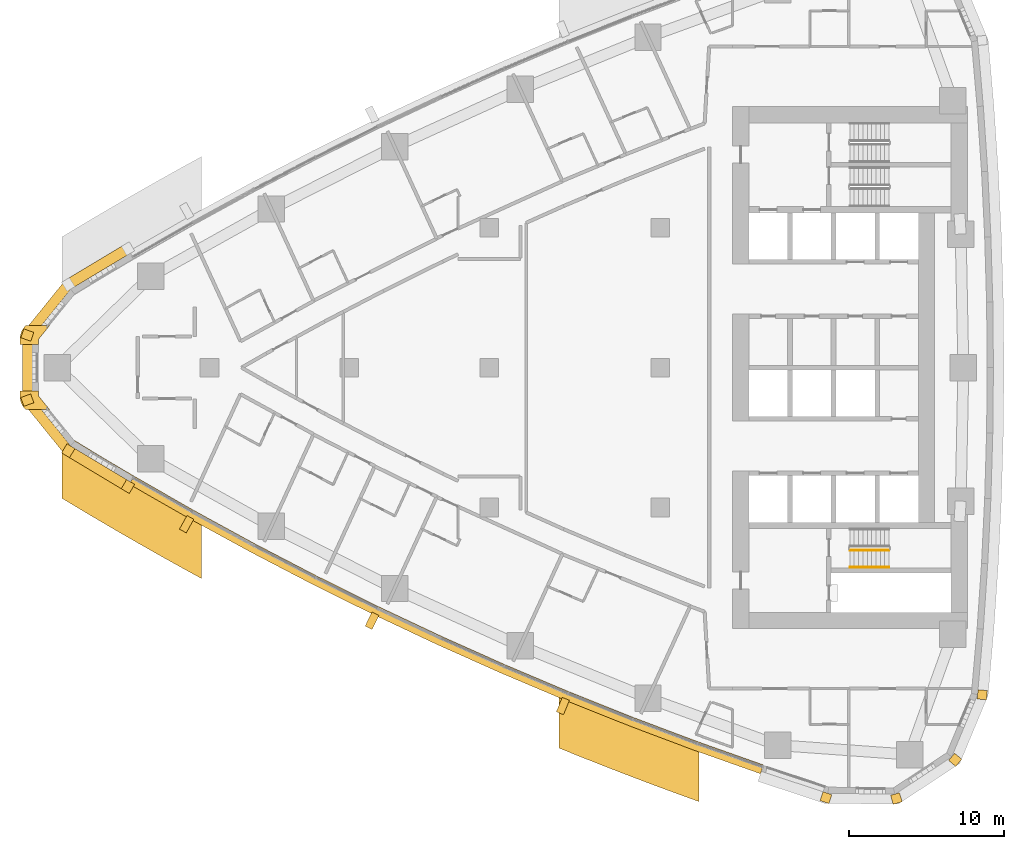
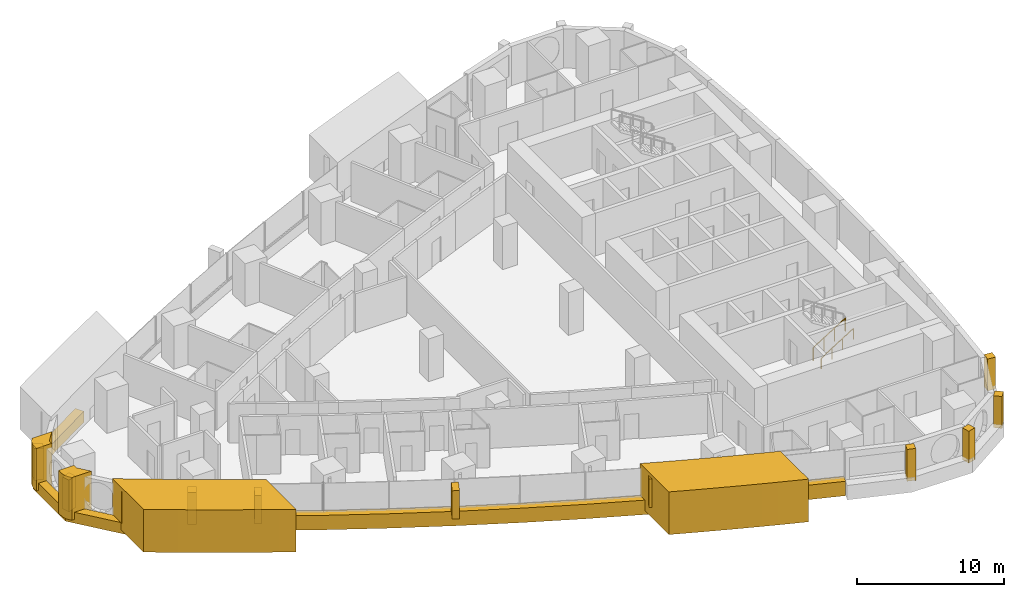
# One storey, part 14 of 17: 17 coverings, 2 railings.
"""IFC4 building model written with IfcOpenShell, lengths in metres."""

from ifc_helpers import new_model, si_unit, direction, frame, frame_2d, origin, origin_2d, place, context, subcontext, project, spatial, polyline, rectangle, circle, outline, extrude, material, layer, layer_set, type_object, element, save


model = new_model("IFC4")

# Units and contexts
model_context = context("Model", 3, precision=1e-05, world=origin(), true_north=direction((0.0, 1.0)))
body_context = subcontext(model_context, "Body", "Model", "MODEL_VIEW")
ifc_project = project(units=[si_unit("LENGTHUNIT", "METRE"), si_unit("AREAUNIT", "SQUARE_METRE"), si_unit("VOLUMEUNIT", "CUBIC_METRE"), si_unit("PLANEANGLEUNIT", "RADIAN"), si_unit("MASSUNIT", "GRAM", prefix="KILO")], contexts=[model_context])

# Site, building, storey
site_placement = place(None, origin())
site = spatial("IfcSite", under=ifc_project, at=site_placement, CompositionType="ELEMENT")
building_placement = place(site_placement, origin())
building = spatial("IfcBuilding", under=site, at=building_placement, Name="Ostrand Prow Hotel Tower", CompositionType="ELEMENT")
storey_placement = place(building_placement, frame((0.0, 0.0, 99.10009765625)))
storey = spatial("IfcBuildingStorey", under=building, at=storey_placement, Name="L23", CompositionType="ELEMENT", Elevation=99.10009765625)

# Coverings
ifc_material_1 = material(Name="Bronze anodised aluminium cladding", Category="aluminium")
ifc_layer_1 = layer(ifc_material_1, 0.60009765625)
ifc_layer_set_1 = layer_set([ifc_layer_1], Name="Bronze anodised aluminium cladding")
covering_type_1 = type_object("IfcCoveringType", Name="Bronze prow band 899x600", PredefinedType="CLADDING", material=ifc_layer_set_1)
covering_1_placement = place(storey_placement, frame((0.0, 0.0, -0.300048828125)))
element("IfcCovering", 1, at=covering_1_placement, inside=storey, type_object=covering_type_1, Name="Bronze prow band", PredefinedType="CLADDING", context=body_context, shape_type="SweptSolid", body=[
    extrude(outline(polyline([(10.580810546875, 7.9453125), (6.734130859375, 5.637939453125), (3.957763671875, 2.206787109375), (3.957763671875, -2.206787109375), (6.734130859375, -5.637939453125), (10.580810546875, -7.9453125), (10.9248046875, -7.358642578125), (7.089599609375, -5.058349609375), (4.598876953125, -1.97998046875), (4.598876953125, 1.97998046875), (7.089599609375, 5.058349609375), (10.9248046875, 7.358642578125), (10.580810546875, 7.9453125)])), origin(), (0.0, 0.0, 1.0), 0.89990234375),
])
ifc_material_2 = material(Name="Bronze anodised aluminium cladding", Category="aluminium")
ifc_layer_2 = layer(ifc_material_2, 0.60009765625)
ifc_layer_set_2 = layer_set([ifc_layer_2], Name="Bronze anodised aluminium cladding")
covering_type_2 = type_object("IfcCoveringType", Name="Bronze spandrel band 1200x600", PredefinedType="CLADDING", material=ifc_layer_set_2)
covering_2_placement = place(storey_placement, frame((0.0, 0.0, -0.300048828125)))
element("IfcCovering", 2, at=covering_2_placement, inside=storey, type_object=covering_type_2, Name="Spandrel band S1", PredefinedType="CLADDING", context=body_context, shape_type="SweptSolid", body=[
    extrude(outline(polyline([(10.841064453125, -7.50146484375), (14.72412109375, -9.726318359375), (18.651123046875, -11.872802734375), (22.620361328125, -13.940185546875), (26.6298828125, -15.927734375), (30.6787109375, -17.834716796875), (34.764892578125, -19.659912109375), (38.88671875, -21.4033203125), (43.042724609375, -23.0634765625), (47.231201171875, -24.64013671875), (51.4501953125, -26.1328125), (51.644775390625, -25.56494140625), (47.43701171875, -24.076416015625), (43.259765625, -22.504150390625), (39.114990234375, -20.848388671875), (35.004150390625, -19.10986328125), (30.928955078125, -17.289306640625), (26.89111328125, -15.3876953125), (22.89208984375, -13.4052734375), (18.93359375, -11.343505859375), (15.01708984375, -9.20263671875), (11.144287109375, -6.98388671875), (10.841064453125, -7.50146484375)])), origin(), (0.0, 0.0, 1.0), 1.199951171875),
])
ifc_material_3 = material(Name="Limestone cladding", Category="masonry")
ifc_layer_3 = layer(ifc_material_3, 5.0)
ifc_layer_set_3 = layer_set([ifc_layer_3], Name="Limestone cladding")
covering_type_3 = type_object("IfcCoveringType", Name="Portal jamb pilaster limestone", PredefinedType="CLADDING", material=ifc_layer_set_3)
covering_3_placement = place(storey_placement, origin())
element("IfcCovering", 3, at=covering_3_placement, inside=storey, type_object=covering_type_3, Name="Portal jamb SA L23", PredefinedType="CLADDING", context=body_context, shape_type="SweptSolid", body=[
    extrude(outline(polyline([(6.5, -4.184326171875), (6.5, -8.40625), (7.5, -9.0087890625), (8.5, -9.604248046875), (9.5, -10.19287109375), (10.5, -10.7744140625), (11.5, -11.349365234375), (12.5, -11.91748046875), (13.5, -12.478759765625), (14.5, -13.03369140625), (15.5, -13.581787109375), (15.5, -9.47216796875), (14.5, -8.912353515625), (13.5, -8.345703125), (12.5, -7.772216796875), (11.5, -7.19189453125), (10.5, -6.6044921875), (9.5, -6.01025390625), (8.5, -5.40869140625), (7.5, -4.80029296875), (6.5, -4.184326171875)])), origin(), (0.0, 0.0, 1.0), 3.5498046875),
])
covering_4_placement = place(storey_placement, origin())
element("IfcCovering", 4, at=covering_4_placement, inside=storey, type_object=covering_type_3, Name="Portal jamb SB L23", PredefinedType="CLADDING", context=body_context, shape_type="SweptSolid", body=[
    extrude(outline(polyline([(38.5, -20.59423828125), (38.5, -24.486083984375), (39.5, -24.890380859375), (40.5, -25.2890625), (41.5, -25.68212890625), (42.5, -26.06982421875), (43.5, -26.4521484375), (44.5, -26.8291015625), (45.5, -27.200439453125), (46.5, -27.566650390625), (47.5, -27.927490234375), (47.5, -24.099609375), (46.5, -23.732177734375), (45.5, -23.359130859375), (44.5, -22.98095703125), (43.5, -22.59716796875), (42.5, -22.207763671875), (41.5, -21.812744140625), (40.5, -21.412353515625), (39.5, -21.006103515625), (38.5, -20.59423828125)])), origin(), (0.0, 0.0, 1.0), 3.5498046875),
])
ifc_material_4 = material(Name="Limestone cladding", Category="masonry")
ifc_layer_4 = layer(ifc_material_4, 0.5)
ifc_layer_set_4 = layer_set([ifc_layer_4], Name="Limestone cladding")
covering_type_4 = type_object("IfcCoveringType", Name="Precast stone fin 500x900", PredefinedType="CLADDING", material=ifc_layer_set_4)
for number, where, z_axis, x_axis, name in (
    (5, (14.77294921875, -9.638916015625, 0.89990234375), (0.0, 0.0, 1.0), (-0.48823165008, -0.872714074517, 0.0), "Stone fin S 2"),
    (6, (26.673583984375, -15.837646484375, 0.89990234375), (0.0, 0.0, 1.0), (-0.435261006131, -0.900304313298, 0.0), "Stone fin S 5"),
    (7, (38.9248046875, -21.310791015625, 0.89990234375), (0.0, 0.0, 1.0), (-0.380172536546, -0.924915586665, 0.0), "Stone fin S 8"),
):
    element("IfcCovering", number, at=place(storey_placement, frame(where, z_axis=z_axis, x_axis=x_axis)), inside=storey, type_object=covering_type_4, Name=name, PredefinedType="CLADDING", context=body_context, shape_type="SweptSolid", body=[
        extrude(rectangle(XDim=1.0, YDim=0.5, at=frame_2d((0.5, 0.0))), origin(), (0.0, 0.0, 1.0), 2.35009765625),
    ])
ifc_material_5 = material(Name="Limestone cladding", Category="masonry")
ifc_layer_5 = layer(ifc_material_5, 0.60009765625)
ifc_layer_set_5 = layer_set([ifc_layer_5], Name="Limestone cladding")
covering_type_5 = type_object("IfcCoveringType", Name="Precast stone prow rib 600x600", PredefinedType="CLADDING", material=ifc_layer_set_5)
for number, where, z_axis, x_axis, name in (
    (8, (4.598876953125, 1.97998046875, 0.599853515625), (0.0, 0.0, 1.0), (-0.942744850171, 0.333514838465, 0.0), "Stone prow rib 3"),
    (9, (4.598876953125, -1.97998046875, 0.599853515625), (0.0, 0.0, 1.0), (-0.942744850171, -0.333514838465, 0.0), "Stone prow rib 4"),
    (10, (7.089599609375, -5.058349609375, 0.599853515625), (0.0, 0.0, 1.0), (-0.522814637618, -0.852446394029, 0.0), "Stone prow rib 5"),
):
    element("IfcCovering", number, at=place(storey_placement, frame(where, z_axis=z_axis, x_axis=x_axis)), inside=storey, type_object=covering_type_5, Name=name, PredefinedType="CLADDING", context=body_context, shape_type="SweptSolid", body=[
        extrude(rectangle(XDim=0.679931640625, YDim=0.60009765625, at=frame_2d((0.33984375, 0.0))), origin(), (0.0, 0.0, 1.0), 2.650146484375),
    ])
covering_5_placement = place(storey_placement, frame((10.9248046875, -7.358642578125, 0.599853515625), z_axis=(0.0, 0.0, 1.0), x_axis=(-0.505811626043, -0.862643958397, 0.0)))
element("IfcCovering", 11, at=covering_5_placement, inside=storey, type_object=covering_type_5, Name="Stone prow rib 6", PredefinedType="CLADDING", context=body_context, shape_type="SweptSolid", body=[
    extrude(rectangle(XDim=0.68017578125, YDim=0.60009765625, at=frame_2d((0.340087890625, 0.0))), origin(), (0.0, 0.0, 1.0), 2.650146484375),
])
covering_6_placement = place(storey_placement, frame((55.7490234375, -27.3828125, 0.599853515625), z_axis=(0.0, 0.0, 1.0), x_axis=(-0.305218682065, -0.952282288042, 0.0)))
element("IfcCovering", 12, at=covering_6_placement, inside=storey, type_object=covering_type_5, Name="Stone corner rib 2a", PredefinedType="CLADDING", context=body_context, shape_type="SweptSolid", body=[
    extrude(rectangle(XDim=0.599853515625, YDim=0.60009765625, at=frame_2d((0.2998046875, 0.0))), origin(), (0.0, 0.0, 1.0), 2.650146484375),
])
covering_7_placement = place(storey_placement, frame((60.104736328125, -27.437744140625, 0.599853515625), z_axis=(0.0, 0.0, 1.0), x_axis=(0.280734221166, -0.959785547436, 0.0)))
element("IfcCovering", 13, at=covering_7_placement, inside=storey, type_object=covering_type_5, Name="Stone corner rib 3a", PredefinedType="CLADDING", context=body_context, shape_type="SweptSolid", body=[
    extrude(rectangle(XDim=0.60009765625, YDim=0.60009765625, at=frame_2d((0.300048828125, 0.0))), origin(), (0.0, 0.0, 1.0), 2.650146484375),
])
for number, where, z_axis, x_axis, name in (
    (14, (63.74365234375, -25.043212890625, 0.599853515625), (0.0, 0.0, 1.0), (0.770318500913, -0.637659319034, 0.0), "Stone corner rib 4a"),
    (15, (65.41650390625, -21.02099609375, 0.599853515625), (0.0, 0.0, 1.0), (0.99529571972, -0.096883591531, 0.0), "Stone corner rib 4b"),
):
    element("IfcCovering", number, at=place(storey_placement, frame(where, z_axis=z_axis, x_axis=x_axis)), inside=storey, type_object=covering_type_5, Name=name, PredefinedType="CLADDING", context=body_context, shape_type="SweptSolid", body=[
        extrude(rectangle(XDim=0.599853515625, YDim=0.60009765625, at=frame_2d((0.2998046875, 0.0))), origin(), (0.0, 0.0, 1.0), 2.650146484375),
    ])
ifc_material_6 = material(Name="Limestone cladding", Category="masonry")
ifc_layer_6 = layer(ifc_material_6, 3.0)
ifc_layer_set_6 = layer_set([ifc_layer_6], Name="Limestone cladding")
covering_type_6 = type_object("IfcCoveringType", Name="Prow nose pier limestone", PredefinedType="CLADDING", material=ifc_layer_set_6)
covering_8_placement = place(storey_placement, origin())
element("IfcCovering", 16, at=covering_8_placement, inside=storey, type_object=covering_type_6, Name="Prow spine fin N L23", PredefinedType="CLADDING", context=body_context, shape_type="SweptSolid", body=[
    extrude(outline(polyline([(3.808349609375, 1.8349609375), (3.808349609375, 1.5), (5.00830078125, 1.5), (5.00830078125, 1.8349609375), (5.708251953125, 2.699951171875), (4.16455078125, 2.699951171875), (4.075439453125, 2.58984375), (4.006591796875, 2.495849609375), (3.947265625, 2.3955078125), (3.897705078125, 2.289794921875), (3.85888671875, 2.179931640625), (3.830810546875, 2.06689453125), (3.81396484375, 1.951416015625), (3.808349609375, 1.8349609375)])), origin(), (0.0, 0.0, 1.0), 3.5498046875),
])
covering_9_placement = place(storey_placement, origin())
element("IfcCovering", 17, at=covering_9_placement, inside=storey, type_object=covering_type_6, Name="Prow spine fin S L23", PredefinedType="CLADDING", context=body_context, shape_type="SweptSolid", body=[
    extrude(outline(polyline([(4.075439453125, -2.58984375), (4.16455078125, -2.699951171875), (5.708251953125, -2.699951171875), (5.00830078125, -1.8349609375), (5.00830078125, -1.5), (3.808349609375, -1.5), (3.808349609375, -1.8349609375), (3.81396484375, -1.951416015625), (3.830810546875, -2.06689453125), (3.85888671875, -2.179931640625), (3.897705078125, -2.289794921875), (3.947265625, -2.3955078125), (4.006591796875, -2.495849609375), (4.075439453125, -2.58984375)])), origin(), (0.0, 0.0, 1.0), 3.5498046875),
])

# Railings
ifc_material_7 = material(Name="Painted steel", Category="steel")
railing_type_1 = type_object("IfcRailingType", Name="Stair guard 1100", PredefinedType="GUARDRAIL", material=ifc_material_7)
railing_1_placement = place(storey_placement, frame((57.199951171875, -11.75, 0.177490234375)))
element("IfcRailing", 18, at=railing_1_placement, inside=storey, type_object=railing_type_1, Name="L23 ST2C stair guard 1", PredefinedType="GUARDRAIL", context=body_context, shape_type="SweptSolid", body=[
    extrude(circle(Radius=0.02392578125, at=origin_2d()), frame((0.0, 0.0, 1.076171875), z_axis=(0.84460694969, 0.0, 0.535386869969), x_axis=(0.0, 1.0, 0.0)), (0.0, 0.0, 1.0), 2.983642578125),
    extrude(circle(Radius=0.02099609375, at=origin_2d()), origin(), (0.0, 0.0, 1.0), 1.052001953125),
    extrude(circle(Radius=0.02099609375, at=origin_2d()), frame((0.840087890625, 0.0, 0.532470703125)), (0.0, 0.0, 1.0), 1.052001953125),
    extrude(circle(Radius=0.02099609375, at=origin_2d()), frame((1.679931640625, 0.0, 1.06494140625)), (0.0, 0.0, 1.0), 1.052001953125),
    extrude(circle(Radius=0.02099609375, at=origin_2d()), frame((2.52001953125, 0.0, 1.597412109375)), (0.0, 0.0, 1.0), 1.052001953125),
])
ifc_material_8 = material(Name="Stainless steel", Category="steel")
railing_type_2 = type_object("IfcRailingType", Name="Stair handrail 900", PredefinedType="HANDRAIL", material=ifc_material_8)
railing_2_placement = place(storey_placement, frame((57.199951171875, -12.85009765625, 0.177490234375)))
element("IfcRailing", 19, at=railing_2_placement, inside=storey, type_object=railing_type_2, Name="L23 ST2C stair handrail 1", PredefinedType="HANDRAIL", context=body_context, shape_type="SweptSolid", body=[
    extrude(circle(Radius=0.02392578125, at=origin_2d()), frame((0.0, 0.0, 0.8759765625), z_axis=(0.84460694969, 0.0, 0.535386869969), x_axis=(0.0, 1.0, 0.0)), (0.0, 0.0, 1.0), 2.983642578125),
    extrude(circle(Radius=0.02099609375, at=origin_2d()), origin(), (0.0, 0.0, 1.0), 0.851806640625),
    extrude(circle(Radius=0.02099609375, at=origin_2d()), frame((0.840087890625, 0.0, 0.532470703125)), (0.0, 0.0, 1.0), 0.851806640625),
    extrude(circle(Radius=0.02099609375, at=origin_2d()), frame((1.679931640625, 0.0, 1.06494140625)), (0.0, 0.0, 1.0), 0.851806640625),
    extrude(circle(Radius=0.02099609375, at=origin_2d()), frame((2.52001953125, 0.0, 1.597412109375)), (0.0, 0.0, 1.0), 0.851806640625),
])

save(model, "model.ifc")
